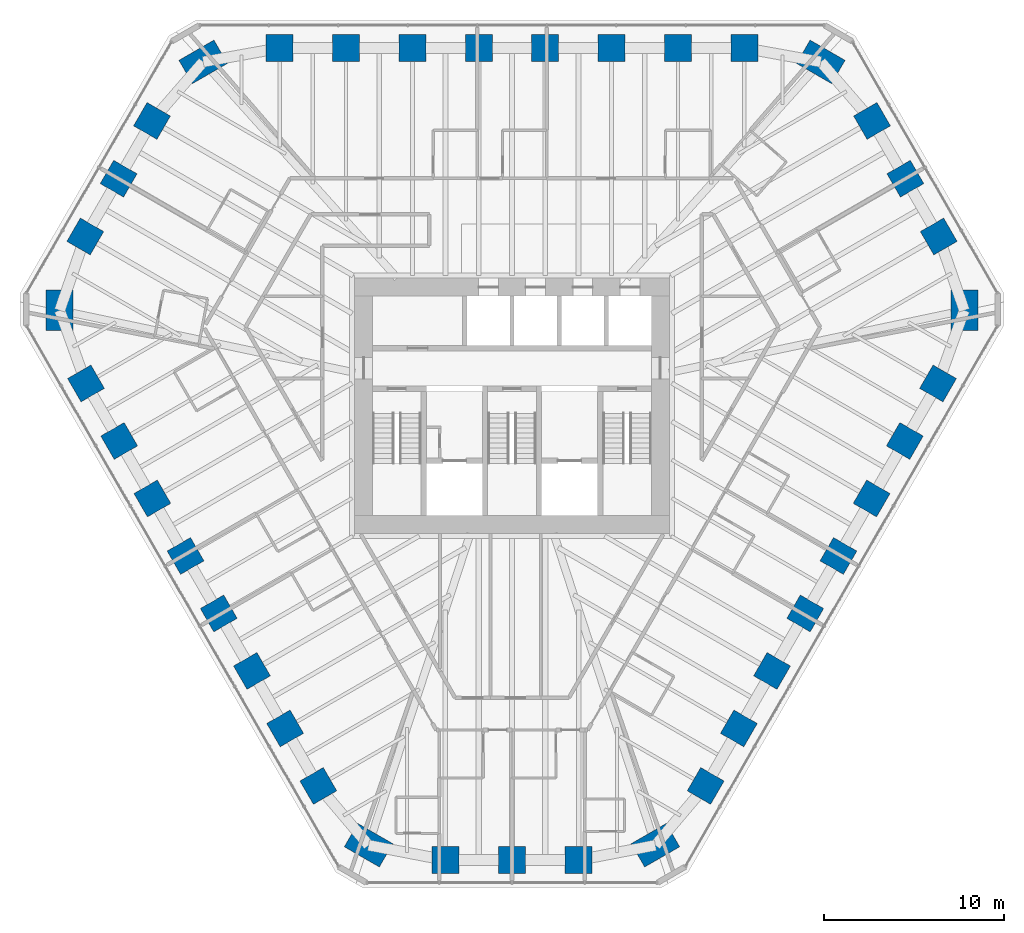
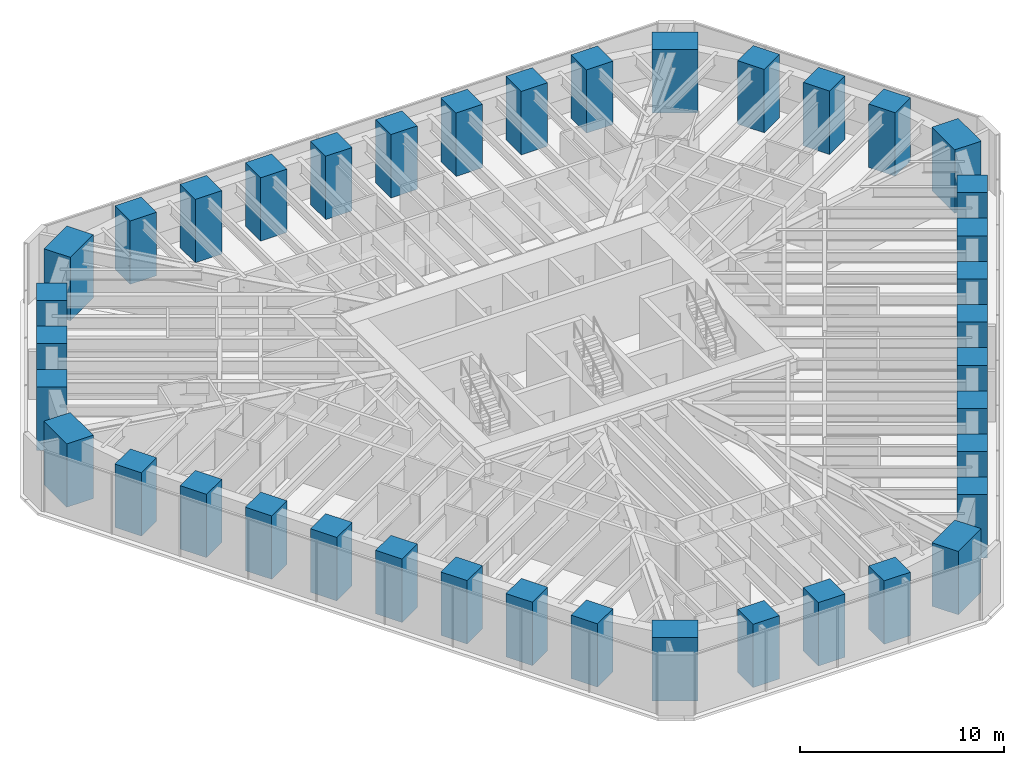
# One storey, part 1 of 16: 39 columns.
"""IFC4 building model written with IfcOpenShell, lengths in metres."""

from ifc_helpers import new_model, si_unit, direction, frame, origin, origin_2d, place, context, subcontext, project, spatial, rectangle, extrude, material, material_profile, profile_set, type_object, element, save


model = new_model("IFC4")

# Units and contexts
model_context = context("Model", 3, precision=1e-05, world=origin(), true_north=direction((0.0, 1.0)))
body_context = subcontext(model_context, "Body", "Model", "MODEL_VIEW")
ifc_project = project(units=[si_unit("LENGTHUNIT", "METRE"), si_unit("AREAUNIT", "SQUARE_METRE"), si_unit("VOLUMEUNIT", "CUBIC_METRE"), si_unit("PLANEANGLEUNIT", "RADIAN"), si_unit("MASSUNIT", "GRAM", prefix="KILO")], contexts=[model_context])

# Site, building, storey
site_placement = place(None, origin())
site = spatial("IfcSite", under=ifc_project, at=site_placement, CompositionType="ELEMENT")
building_placement = place(site_placement, origin())
building = spatial("IfcBuilding", under=site, at=building_placement, Name="Sandreach Pilgrim Tower", CompositionType="ELEMENT")
storey_placement = place(building_placement, frame((0.0, 0.0, 187.0)))
storey = spatial("IfcBuildingStorey", under=building, at=storey_placement, Name="L46", CompositionType="ELEMENT", Elevation=187.0)

# Columns
ifc_material_1 = material(Name="Concrete 10000 psi", Category="concrete")
ifc_material_profile_1 = material_profile(ifc_material_1, rectangle(XDim=1.5, YDim=1.5, at=origin_2d()), Name="RC1500X1500")
ifc_profile_set_1 = profile_set([ifc_material_profile_1], Name="Concrete 10000 psi")
column_type_1 = type_object("IfcColumnType", Name="Tube column RC1500X1500", PredefinedType="COLUMN", material=ifc_profile_set_1)
for number, where, z_axis, x_axis, name in (
    (1, (-12.923828125, 19.900146484375, 0.0), (0.0, 0.0, 1.0), (0.0, 1.0, 0.0), "COL L46 T01"),
    (2, (-9.231201171875, 19.900146484375, 0.0), (0.0, 0.0, 1.0), (0.0, 1.0, 0.0), "COL L46 T02"),
    (3, (-5.538818359375, 19.900146484375, 0.0), (0.0, 0.0, 1.0), (0.0, 1.0, 0.0), "COL L46 T03"),
    (4, (-1.84619140625, 19.900146484375, 0.0), (0.0, 0.0, 1.0), (0.0, 1.0, 0.0), "COL L46 T04"),
    (5, (1.84619140625, 19.900146484375, 0.0), (0.0, 0.0, 1.0), (0.0, 1.0, 0.0), "COL L46 T05"),
    (6, (5.538818359375, 19.900146484375, 0.0), (0.0, 0.0, 1.0), (0.0, 1.0, 0.0), "COL L46 T06"),
    (7, (9.231201171875, 19.900146484375, 0.0), (0.0, 0.0, 1.0), (0.0, 1.0, 0.0), "COL L46 T07"),
    (8, (12.923828125, 19.900146484375, 0.0), (0.0, 0.0, 1.0), (0.0, 1.0, 0.0), "COL L46 T08"),
    (9, (20.025146484375, 15.845947265625, 0.0), (0.0, 0.0, 1.0), (0.866025403784, 0.5, 0.0), "COL L46 T10"),
    (10, (21.88037109375, 12.632568359375, 0.0), (0.0, 0.0, 1.0), (0.866025403784, 0.5, 0.0), "COL L46 T11"),
    (11, (23.7353515625, 9.419189453125, 0.0), (0.0, 0.0, 1.0), (0.866025403784, 0.5, 0.0), "COL L46 T12"),
    (12, (23.69580078125, 1.2421875, 0.0), (0.0, 0.0, 1.0), (0.866025403784, -0.5, 0.0), "COL L46 T14"),
    (13, (21.849609375, -1.95556640625, 0.0), (0.0, 0.0, 1.0), (0.866025403784, -0.5, 0.0), "COL L46 T15"),
    (14, (20.00341796875, -5.1533203125, 0.0), (0.0, 0.0, 1.0), (0.866025403784, -0.5, 0.0), "COL L46 T16"),
    (15, (18.1572265625, -8.35107421875, 0.0), (0.0, 0.0, 1.0), (0.866025403784, -0.5, 0.0), "COL L46 T17"),
    (16, (16.310791015625, -11.548828125, 0.0), (0.0, 0.0, 1.0), (0.866025403784, -0.5, 0.0), "COL L46 T18"),
    (17, (14.464599609375, -14.746826171875, 0.0), (0.0, 0.0, 1.0), (0.866025403784, -0.5, 0.0), "COL L46 T19"),
    (18, (12.618408203125, -17.944580078125, 0.0), (0.0, 0.0, 1.0), (0.866025403784, -0.5, 0.0), "COL L46 T20"),
    (19, (10.772216796875, -21.142333984375, 0.0), (0.0, 0.0, 1.0), (0.866025403784, -0.5, 0.0), "COL L46 T21"),
    (20, (3.71044921875, -25.26513671875, 0.0), (0.0, 0.0, 1.0), (0.0, -1.0, 0.0), "COL L46 T23"),
    (21, (0.0, -25.26513671875, 0.0), (0.0, 0.0, 1.0), (0.0, -1.0, 0.0), "COL L46 T24"),
    (22, (-3.71044921875, -25.26513671875, 0.0), (0.0, 0.0, 1.0), (0.0, -1.0, 0.0), "COL L46 T25"),
    (23, (-10.772216796875, -21.142333984375, 0.0), (0.0, 0.0, 1.0), (-0.866025403784, -0.5, 0.0), "COL L46 T27"),
    (24, (-12.618408203125, -17.944580078125, 0.0), (0.0, 0.0, 1.0), (-0.866025403784, -0.5, 0.0), "COL L46 T28"),
    (25, (-14.464599609375, -14.746826171875, 0.0), (0.0, 0.0, 1.0), (-0.866025403784, -0.5, 0.0), "COL L46 T29"),
    (26, (-16.310791015625, -11.548828125, 0.0), (0.0, 0.0, 1.0), (-0.866025403784, -0.5, 0.0), "COL L46 T30"),
    (27, (-18.1572265625, -8.35107421875, 0.0), (0.0, 0.0, 1.0), (-0.866025403784, -0.5, 0.0), "COL L46 T31"),
    (28, (-20.00341796875, -5.1533203125, 0.0), (0.0, 0.0, 1.0), (-0.866025403784, -0.5, 0.0), "COL L46 T32"),
    (29, (-21.849609375, -1.95556640625, 0.0), (0.0, 0.0, 1.0), (-0.866025403784, -0.5, 0.0), "COL L46 T33"),
    (30, (-23.69580078125, 1.2421875, 0.0), (0.0, 0.0, 1.0), (-0.866025403784, -0.5, 0.0), "COL L46 T34"),
    (31, (-23.7353515625, 9.419189453125, 0.0), (0.0, 0.0, 1.0), (-0.866025403784, 0.5, 0.0), "COL L46 T36"),
    (32, (-21.88037109375, 12.632568359375, 0.0), (0.0, 0.0, 1.0), (-0.866025403784, 0.5, 0.0), "COL L46 T37"),
    (33, (-20.025146484375, 15.845947265625, 0.0), (0.0, 0.0, 1.0), (-0.866025403784, 0.5, 0.0), "COL L46 T38"),
):
    element("IfcColumn", number, at=place(storey_placement, frame(where, z_axis=z_axis, x_axis=x_axis)), inside=storey, type_object=column_type_1, Name=name, PredefinedType="COLUMN", context=body_context, shape_type="SweptSolid", body=[
        extrude(rectangle(XDim=1.5, YDim=1.5, at=origin_2d()), origin(), (0.0, 0.0, 1.0), 3.800048828125),
    ])
ifc_material_2 = material(Name="Concrete 10000 psi", Category="concrete")
ifc_material_profile_2 = material_profile(ifc_material_2, rectangle(XDim=1.5, YDim=2.25, at=origin_2d()), Name="RC1500X2250")
ifc_profile_set_2 = profile_set([ifc_material_profile_2], Name="Concrete 10000 psi")
column_type_2 = type_object("IfcColumnType", Name="Tube corner pier RC1500X2250", PredefinedType="COLUMN", material=ifc_profile_set_2)
for number, where, z_axis, x_axis, name in (
    (34, (17.177978515625, 19.130615234375, 0.0), (0.0, 0.0, 1.0), (0.5, 0.866025403784, 0.0), "COL L46 T09"),
    (35, (25.156494140625, 5.311279296875, 0.0), (0.0, 0.0, 1.0), (1.0, 0.0, 0.0), "COL L46 T13"),
    (36, (7.978515625, -24.44189453125, 0.0), (0.0, 0.0, 1.0), (0.5, -0.866025403784, 0.0), "COL L46 T22"),
    (37, (-7.978515625, -24.44189453125, 0.0), (0.0, 0.0, 1.0), (-0.5, -0.866025403784, 0.0), "COL L46 T26"),
    (38, (-25.156494140625, 5.311279296875, 0.0), (0.0, 0.0, 1.0), (-1.0, 0.0, 0.0), "COL L46 T35"),
    (39, (-17.177978515625, 19.130615234375, 0.0), (0.0, 0.0, 1.0), (-0.5, 0.866025403784, 0.0), "COL L46 T39"),
):
    element("IfcColumn", number, at=place(storey_placement, frame(where, z_axis=z_axis, x_axis=x_axis)), inside=storey, type_object=column_type_2, Name=name, PredefinedType="COLUMN", context=body_context, shape_type="SweptSolid", body=[
        extrude(rectangle(XDim=1.5, YDim=2.25, at=origin_2d()), origin(), (0.0, 0.0, 1.0), 3.800048828125),
    ])

save(model, "model.ifc")
